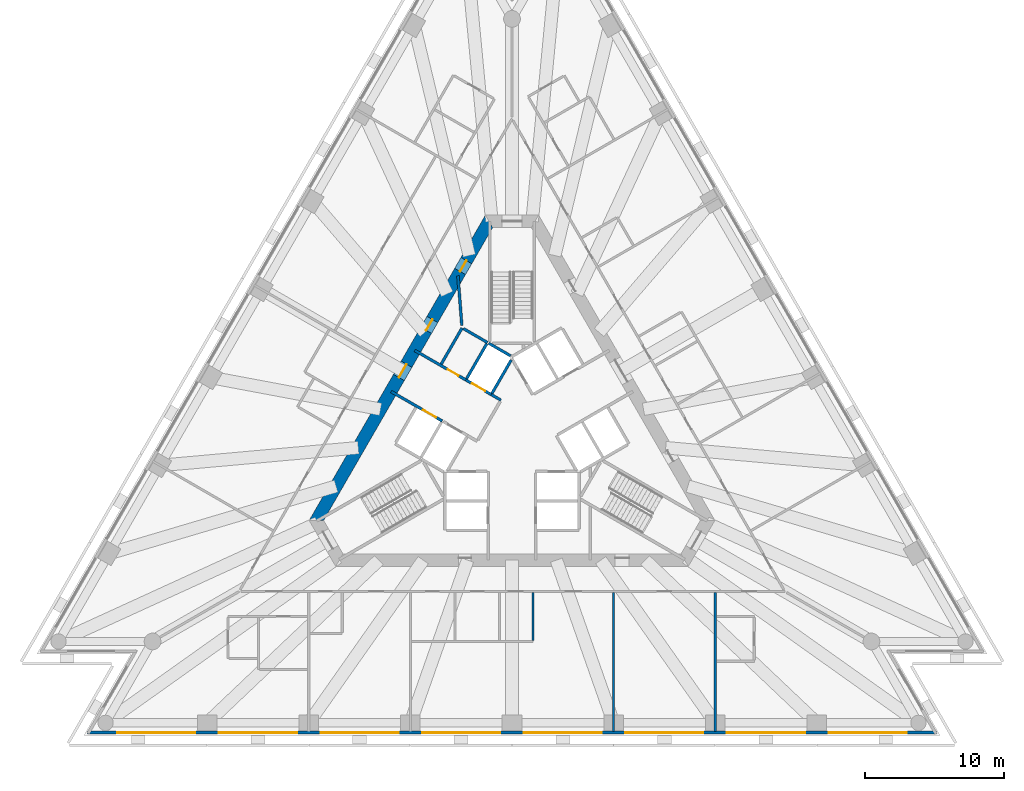
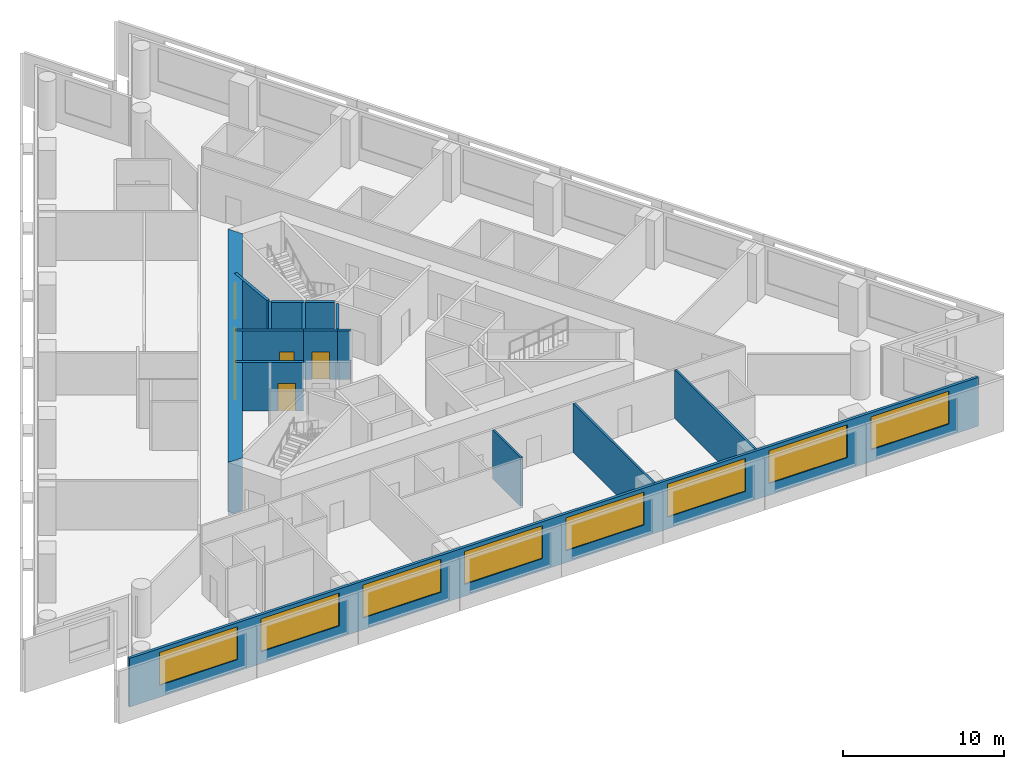
# One storey, part 4 of 11: 15 walls, 8 windows, 6 doors, 14 openings.
"""IFC4 building model written with IfcOpenShell, lengths in metres."""

import ifcopenshell
import ifcopenshell.guid

model = None  # the IFC model being written
_history = None  # IfcOwnerHistory: only IFC2X3 demands one
_inside = {}  # id of a spatial element -> (the spatial element, [elements in it])
_under = {}  # id of a project, library or spatial element -> (it, [spatial elements below it])
_declared = {}  # id of a project -> (the project, [libraries it declares])
_typed = {}  # id of a type object -> (the type object, [elements of that type])
_made_of = {}  # id of a material, layer set ... -> (it, [elements and type objects made of it])


def new_model(schema):
    """Start an empty IFC model of exactly this schema.

    Asked for "IFC4X3", IfcOpenShell would pick the latest addendum, in which some entities
    have other attributes; the version numbers below select the first issue.
    IFC2X3 requires an IfcOwnerHistory on every rooted entity: one is made here for all.
    """
    global model, _history
    if schema == "IFC4X3":
        model = ifcopenshell.file(schema_version=(4, 3, 0, 0))
    else:
        model = ifcopenshell.file(schema=schema)
    _inside.clear()
    _under.clear()
    _declared.clear()
    _typed.clear()
    _made_of.clear()
    _history = None
    if model.schema == "IFC2X3":
        org = make("IfcOrganization", Name="unknown")
        user = make(
            "IfcPersonAndOrganization",
            ThePerson=make("IfcPerson", FamilyName="unknown"),
            TheOrganization=org,
        )
        app = make(
            "IfcApplication",
            ApplicationDeveloper=org,
            Version="unknown",
            ApplicationFullName="unknown",
            ApplicationIdentifier="unknown",
        )
        _history = make(
            "IfcOwnerHistory",
            OwningUser=user,
            OwningApplication=app,
            ChangeAction="ADDED",
            CreationDate=0,
        )
    return model


def make(cls, **values):
    """One entity of the class cls with the attributes given. An attribute that is None is left unset."""
    return model.create_entity(
        cls, **{name: value for name, value in values.items() if value is not None}
    )


def rooted(cls, **values):
    """An entity with a GlobalId (a new one), such as an element, a storey or a relation."""
    return make(cls, GlobalId=ifcopenshell.guid.new(), OwnerHistory=_history, **values)


def si_unit(unit_type, name, prefix=None):
    """IfcSIUnit, for example si_unit("LENGTHUNIT", "METRE", prefix="MILLI")."""
    return make("IfcSIUnit", UnitType=unit_type, Prefix=prefix, Name=name)


def assignment(units):
    """IfcUnitAssignment: the units of a project."""
    return None if units is None else make("IfcUnitAssignment", Units=units)


def point(xyz):
    """IfcCartesianPoint."""
    return None if xyz is None else make("IfcCartesianPoint", Coordinates=xyz)


def direction(xyz):
    """IfcDirection."""
    return None if xyz is None else make("IfcDirection", DirectionRatios=xyz)


def frame(location, z_axis=None, x_axis=None):
    """IfcAxis2Placement3D, a coordinate frame: its origin and axes. An axis left out is left unset."""
    return make(
        "IfcAxis2Placement3D",
        Location=point(location),
        Axis=direction(z_axis),
        RefDirection=direction(x_axis),
    )


def frame_2d(location, x_axis=None):
    """IfcAxis2Placement2D, a coordinate frame in the plane: its origin and x axis."""
    return make(
        "IfcAxis2Placement2D", Location=point(location), RefDirection=direction(x_axis)
    )


def origin():
    """The frame at (0, 0, 0) with its axes left unset."""
    return frame((0.0, 0.0, 0.0))


def place(relative_to, where):
    """IfcLocalPlacement: puts the frame where relative to a parent placement (None: the world)."""
    return make(
        "IfcLocalPlacement", PlacementRelTo=relative_to, RelativePlacement=where
    )


def context(
    kind, dimensions, precision=None, world=None, true_north=None, identifier=None
):
    """IfcGeometricRepresentationContext, for example the 3D "Model" context."""
    return make(
        "IfcGeometricRepresentationContext",
        ContextIdentifier=identifier,
        ContextType=kind,
        CoordinateSpaceDimension=dimensions,
        Precision=precision,
        WorldCoordinateSystem=world,
        TrueNorth=true_north,
    )


def subcontext(parent, identifier, kind, view, scale=None):
    """IfcGeometricRepresentationSubContext, for example "Body" below "Model"."""
    return make(
        "IfcGeometricRepresentationSubContext",
        ContextIdentifier=identifier,
        ContextType=kind,
        ParentContext=parent,
        TargetScale=scale,
        TargetView=view,
    )


def project(units=None, contexts=None):
    """IfcProject with its units and contexts."""
    return rooted(
        "IfcProject",
        Name="project",
        RepresentationContexts=contexts,
        UnitsInContext=assignment(units),
    )


def spatial(cls, under=None, at=None, **own):
    """A site, building, storey or space (cls), placed at a placement, below another one or the project."""
    s = rooted(cls, ObjectPlacement=at, **own)
    if under is not None:
        _under.setdefault(under.id(), (under, []))[1].append(s)
    return s


def polyline(points):
    """IfcPolyline through the points."""
    return make("IfcPolyline", Points=[point(p) for p in points])


def profile(cls, at=None, kind="AREA", **sizes):
    """A parametric profile (cls). Its sizes go by their IFC names, for example OverallWidth=200.0."""
    return make(cls, ProfileType=kind, Position=at, **sizes)


def rectangle(**sizes):
    """IfcRectangleProfileDef."""
    return profile("IfcRectangleProfileDef", **sizes)


def outline(outer, holes=None, kind="AREA"):
    """IfcArbitraryClosedProfileDef: a profile drawn as a closed curve; with holes, ...WithVoids."""
    if holes is None:
        return make("IfcArbitraryClosedProfileDef", ProfileType=kind, OuterCurve=outer)
    return make(
        "IfcArbitraryProfileDefWithVoids",
        ProfileType=kind,
        OuterCurve=outer,
        InnerCurves=holes,
    )


def extrude(swept, where, along, depth):
    """IfcExtrudedAreaSolid: the profile swept, set in the frame where, extruded along a direction by depth."""
    return make(
        "IfcExtrudedAreaSolid",
        SweptArea=swept,
        Position=where,
        ExtrudedDirection=direction(along),
        Depth=depth,
    )


def shape(context_of_items, identifier, shape_type, items):
    """IfcShapeRepresentation: the items that make up one representation, for example the "Body"."""
    return make(
        "IfcShapeRepresentation",
        ContextOfItems=context_of_items,
        RepresentationIdentifier=identifier,
        RepresentationType=shape_type,
        Items=items,
    )


def material(Name=None, Category=None):
    """IfcMaterial."""
    return make("IfcMaterial", Name=Name, Category=Category)


def layer(
    of_material, thickness, ventilated=None, Name=None, Category=None, Priority=None
):
    """IfcMaterialLayer: one layer of a wall or slab, of a material (None: an air gap)."""
    return make(
        "IfcMaterialLayer",
        Material=of_material,
        LayerThickness=thickness,
        IsVentilated=ventilated,
        Name=Name,
        Category=Category,
        Priority=Priority,
    )


def layer_set(layers, Name=None):
    """IfcMaterialLayerSet."""
    return make("IfcMaterialLayerSet", MaterialLayers=layers, LayerSetName=Name)


def layer_usage(for_layer_set, set_direction, sense, offset, extent=None):
    """IfcMaterialLayerSetUsage: how a layer set lies in its element."""
    return make(
        "IfcMaterialLayerSetUsage",
        ForLayerSet=for_layer_set,
        LayerSetDirection=set_direction,
        DirectionSense=sense,
        OffsetFromReferenceLine=offset,
        ReferenceExtent=extent,
    )


def made_of(thing, what):
    """Note that an element or type object is made of a material, layer set ...; save() writes the relation."""
    if what is not None:
        _made_of.setdefault(what.id(), (what, []))[1].append(thing)
    return thing


def type_object(cls, material=None, **own):
    """A type object (cls), such as IfcWallType, which elements share."""
    return made_of(rooted(cls, **own), material)


def element(
    cls,
    number,
    at=None,
    inside=None,
    cuts=None,
    type_object=None,
    material=None,
    context=None,
    identifier="Body",
    shape_type=None,
    held_by="IfcProductDefinitionShape",
    body=None,
    shapes=None,
    **own,
):
    """One element of the class cls, such as IfcWall. Its Tag is "e" and its number.

    at: its placement. inside: the storey or other place that contains it. cuts: it is an
    opening in that element (IfcRelVoidsElement). A single representation is given by context,
    identifier, shape_type and body (its items); several are given by shapes. held_by: the class
    of the entity that holds the representations. save() writes the other relations.
    """
    e = rooted(cls, Tag="e%d" % number, ObjectPlacement=at, **own)
    if body is not None:
        shapes = [shape(context, identifier, shape_type, body)]
    if shapes is not None:
        e.Representation = make(held_by, Representations=shapes)
    if inside is not None:
        _inside.setdefault(inside.id(), (inside, []))[1].append(e)
    if cuts is not None:
        rooted(
            "IfcRelVoidsElement", RelatingBuildingElement=cuts, RelatedOpeningElement=e
        )
    if type_object is not None:
        _typed.setdefault(type_object.id(), (type_object, []))[1].append(e)
    return made_of(e, material)


def fill(opening, filler):
    """IfcRelFillsElement: the door or window that sits in an opening."""
    return rooted(
        "IfcRelFillsElement",
        RelatingOpeningElement=opening,
        RelatedBuildingElement=filler,
    )


def aggregate(whole, parts):
    """IfcRelAggregates: a whole, such as a stair, and the parts it consists of."""
    return rooted("IfcRelAggregates", RelatingObject=whole, RelatedObjects=parts)


def save(model, path):
    """Write the relations noted so far, then the file.

    IfcRelAggregates (storeys below a building ...), IfcRelContainedInSpatialStructure (elements
    in a storey), IfcRelDefinesByType, IfcRelAssociatesMaterial and IfcRelDeclares: one each for
    every whole, place, type object, material and project.
    """
    for whole, parts in _under.values():
        aggregate(whole, parts)
    for where, things in _inside.values():
        rooted(
            "IfcRelContainedInSpatialStructure",
            RelatedElements=things,
            RelatingStructure=where,
        )
    for kind, things in _typed.values():
        rooted("IfcRelDefinesByType", RelatedObjects=things, RelatingType=kind)
    for what, things in _made_of.values():
        rooted("IfcRelAssociatesMaterial", RelatedObjects=things, RelatingMaterial=what)
    for by, libraries in _declared.values():
        rooted("IfcRelDeclares", RelatingContext=by, RelatedDefinitions=libraries)
    model.write(path)


model = new_model("IFC4")

# Units and contexts
model_context = context("Model", 3, precision=1e-05, world=origin(), true_north=direction((0.0, 1.0)))
body_context = subcontext(model_context, "Body", "Model", "MODEL_VIEW")
ifc_project = project(units=[si_unit("LENGTHUNIT", "METRE"), si_unit("AREAUNIT", "SQUARE_METRE"), si_unit("VOLUMEUNIT", "CUBIC_METRE"), si_unit("PLANEANGLEUNIT", "RADIAN"), si_unit("MASSUNIT", "GRAM", prefix="KILO")], contexts=[model_context])

# Site, building, storey
site_placement = place(None, origin())
site = spatial("IfcSite", under=ifc_project, at=site_placement, CompositionType="ELEMENT")
building_placement = place(site_placement, origin())
building = spatial("IfcBuilding", under=site, at=building_placement, Name="Triada Interchange Tower", CompositionType="ELEMENT")
storey_placement = place(building_placement, frame((0.0, 0.0, 75.300048828125)))
storey = spatial("IfcBuildingStorey", under=building, at=storey_placement, Name="L16", CompositionType="ELEMENT", Elevation=75.300048828125)

# Wall, opening, door
ifc_material_1 = material(Name="Concrete C30/37", Category="concrete")
ifc_layer_1 = layer(ifc_material_1, 0.199951171875)
ifc_layer_set_1 = layer_set([ifc_layer_1], Name="CORE WALL 200 EI 180")
wall_type_1 = type_object("IfcWallType", Name="CORE WALL 200 EI 180", PredefinedType="SOLIDWALL", material=ifc_layer_set_1)
wall_1_placement = place(storey_placement, frame((-8.669921875, 3.04296875, 0.0), z_axis=(0.0, 0.0, 1.0), x_axis=(0.866029956157, -0.499992114976, 0.0)))
wall_1 = element("IfcWall", 1, at=wall_1_placement, inside=storey, type_object=wall_type_1, Name="Wall L15 74", PredefinedType="SOLIDWALL", context=body_context, shape_type="SweptSolid", body=[
    extrude(rectangle(XDim=4.23193359375, YDim=0.199951171875, at=frame_2d((2.115966796875, 0.0))), origin(), (0.0, 0.0, 1.0), 3.699951171875),
])
opening_1_placement = place(wall_1_placement, frame((2.6298828125, 0.0, 0.0)))
opening_1 = element("IfcOpeningElement", 2, at=opening_1_placement, cuts=wall_1, Name="Opening LD-SV1", PredefinedType="OPENING", context=body_context, shape_type="SweptSolid", body=[
    extrude(rectangle(XDim=1.10009765625, YDim=2.10009765625, at=frame_2d((0.550048828125, 1.050048828125))), frame((0.0, 0.10986328125, 0.0), z_axis=(0.0, -1.0, 0.0), x_axis=(1.0, 0.0, 0.0)), (0.0, 0.0, 1.0), 0.219970703125),
])
ifc_material_2 = material(Name="Steel S235 door leaf", Category="steel")
door_type_1 = type_object("IfcDoorType", Name="LIFT LANDING DOOR 1100 EI 120", OperationType="SLIDING_TO_LEFT", PredefinedType="DOOR", material=ifc_material_2)
door_1_placement = place(opening_1_placement, origin())
door_1 = element("IfcDoor", 3, at=door_1_placement, inside=storey, type_object=door_type_1, Name="SV1 landing door L16", OperationType="SLIDING_TO_LEFT", OverallHeight=2.10009765625, OverallWidth=1.10009765625, PredefinedType="DOOR", context=body_context, shape_type="SweptSolid", body=[
    extrude(rectangle(XDim=1.10009765625, YDim=2.10009765625, at=frame_2d((0.550048828125, 1.050048828125))), frame((0.0, 0.02490234375, 0.0), z_axis=(0.0, -1.0, 0.0), x_axis=(1.0, 0.0, 0.0)), (0.0, 0.0, 1.0), 0.050048828125),
])
fill(opening_1, door_1)

wall_2_placement = place(storey_placement, frame((-6.969970703125, 5.987060546875, 0.0), z_axis=(0.0, 0.0, 1.0), x_axis=(0.866029956157, -0.499992114976, 0.0)))
wall_2 = element("IfcWall", 4, at=wall_2_placement, inside=storey, type_object=wall_type_1, Name="Wall L15 76", PredefinedType="SOLIDWALL", context=body_context, shape_type="SweptSolid", body=[
    extrude(rectangle(XDim=4.23193359375, YDim=0.199951171875, at=frame_2d((2.115966796875, 0.0))), origin(), (0.0, 0.0, 1.0), 3.699951171875),
])
opening_2_placement = place(wall_2_placement, frame((2.72998046875, 0.0, 0.0)))
opening_2 = element("IfcOpeningElement", 5, at=opening_2_placement, cuts=wall_2, Name="Opening D15-10", PredefinedType="OPENING", context=body_context, shape_type="SweptSolid", body=[
    extrude(rectangle(XDim=0.89990234375, YDim=2.10009765625, at=frame_2d((0.449951171875, 1.050048828125))), frame((0.0, 0.10986328125, 0.0), z_axis=(0.0, -1.0, 0.0), x_axis=(1.0, 0.0, 0.0)), (0.0, 0.0, 1.0), 0.219970703125),
])
door_type_2 = type_object("IfcDoorType", Name="SERVICE DOOR 900 EI2 90-C5S200", OperationType="NOTDEFINED", PredefinedType="DOOR", material=ifc_material_2)
door_2_placement = place(opening_2_placement, origin())
door_2 = element("IfcDoor", 6, at=door_2_placement, inside=storey, type_object=door_type_2, Name="Door D15-10 L16", OperationType="SINGLE_SWING_LEFT", OverallHeight=2.10009765625, OverallWidth=0.89990234375, PredefinedType="DOOR", context=body_context, shape_type="SweptSolid", body=[
    extrude(rectangle(XDim=0.89990234375, YDim=2.10009765625, at=frame_2d((0.449951171875, 1.050048828125))), frame((0.0, 0.02490234375, 0.0), z_axis=(0.0, -1.0, 0.0), x_axis=(1.0, 0.0, 0.0)), (0.0, 0.0, 1.0), 0.050048828125),
])
fill(opening_2, door_2)

# Walls
wall_3_placement = place(storey_placement, frame((-1.488037109375, 2.822021484375, 0.0), z_axis=(0.0, 0.0, 1.0), x_axis=(0.866236612152, -0.499633997809, 0.0)))
element("IfcWall", 7, at=wall_3_placement, inside=storey, type_object=wall_type_1, Name="Wall L15 77", PredefinedType="SOLIDWALL", context=body_context, shape_type="SweptSolid", body=[
    extrude(rectangle(XDim=0.79638671875, YDim=0.199951171875, at=frame_2d((0.398193359375, 0.0))), origin(), (0.0, 0.0, 1.0), 3.699951171875),
])
wall_4_placement = place(storey_placement, frame((-5.075927734375, 5.009033203125, 0.0), z_axis=(0.0, 0.0, 1.0), x_axis=(0.500085598968, 0.865975977556, 0.0)))
element("IfcWall", 8, at=wall_4_placement, inside=storey, type_object=wall_type_1, Name="Wall L15 78", PredefinedType="SOLIDWALL", context=body_context, shape_type="SweptSolid", body=[
    extrude(rectangle(XDim=2.9873046875, YDim=0.199951171875, at=frame_2d((1.49365234375, 0.0))), origin(), (0.0, 0.0, 1.0), 3.699951171875),
])
wall_5_placement = place(storey_placement, frame((-3.489013671875, 7.556884765625, 0.0), z_axis=(0.0, 0.0, 1.0), x_axis=(0.866010750942, -0.50002537861, 0.0)))
element("IfcWall", 9, at=wall_5_placement, inside=storey, type_object=wall_type_1, Name="Wall L15 79", PredefinedType="SOLIDWALL", context=body_context, shape_type="SweptSolid", body=[
    extrude(rectangle(XDim=2.0, YDim=0.199951171875, at=frame_2d((1.0, 0.0))), origin(), (0.0, 0.0, 1.0), 3.699951171875),
])

# Wall, opening, door
wall_6_placement = place(storey_placement, frame((-3.30908203125, 3.873046875, 0.0), z_axis=(0.0, 0.0, 1.0), x_axis=(0.866098583652, -0.499873227325, 0.0)))
wall_6 = element("IfcWall", 10, at=wall_6_placement, inside=storey, type_object=wall_type_1, Name="Shaft wall FF2 L15 85", PredefinedType="SOLIDWALL", context=body_context, shape_type="SweptSolid", body=[
    extrude(rectangle(XDim=2.1025390625, YDim=0.199951171875, at=frame_2d((1.05126953125, 0.0))), origin(), (0.0, 0.0, 1.0), 3.699951171875),
])
opening_3_placement = place(wall_6_placement, frame((0.501953125, 0.0, 0.0)))
opening_3 = element("IfcOpeningElement", 11, at=opening_3_placement, cuts=wall_6, Name="Opening LD-FF2", PredefinedType="OPENING", context=body_context, shape_type="SweptSolid", body=[
    extrude(rectangle(XDim=1.10009765625, YDim=2.10009765625, at=frame_2d((0.550048828125, 1.050048828125))), frame((0.0, 0.10986328125, 0.0), z_axis=(0.0, -1.0, 0.0), x_axis=(1.0, 0.0, 0.0)), (0.0, 0.0, 1.0), 0.219970703125),
])
door_3_placement = place(opening_3_placement, origin())
door_3 = element("IfcDoor", 12, at=door_3_placement, inside=storey, type_object=door_type_1, Name="FF2 landing door L16", OperationType="SLIDING_TO_LEFT", OverallHeight=2.10009765625, OverallWidth=1.10009765625, PredefinedType="DOOR", context=body_context, shape_type="SweptSolid", body=[
    extrude(rectangle(XDim=1.10009765625, YDim=2.10009765625, at=frame_2d((0.550048828125, 1.050048828125))), frame((0.0, 0.02490234375, 0.0), z_axis=(0.0, -1.0, 0.0), x_axis=(1.0, 0.0, 0.0)), (0.0, 0.0, 1.0), 0.050048828125),
])
fill(opening_3, door_3)

# Walls
wall_7_placement = place(storey_placement, frame((-3.257080078125, 3.958984375, 0.0), z_axis=(0.0, 0.0, 1.0), x_axis=(0.50012328804, 0.865954211699, 0.0)))
element("IfcWall", 13, at=wall_7_placement, inside=storey, type_object=wall_type_1, Name="Shaft wall FF2 L15 86", PredefinedType="SOLIDWALL", context=body_context, shape_type="SweptSolid", body=[
    extrude(rectangle(XDim=2.899658203125, YDim=0.199951171875, at=frame_2d((1.44970703125, 0.0))), origin(), (0.0, 0.0, 1.0), 3.699951171875),
])
wall_8_placement = place(storey_placement, frame((-1.669921875, 6.507080078125, 0.0), z_axis=(0.0, 0.0, 1.0), x_axis=(0.865941441609, -0.500145398563, 0.0)))
element("IfcWall", 14, at=wall_8_placement, inside=storey, type_object=wall_type_1, Name="Shaft wall FF2 L15 87", PredefinedType="SOLIDWALL", context=body_context, shape_type="SweptSolid", body=[
    extrude(rectangle(XDim=1.8154296875, YDim=0.199951171875, at=frame_2d((0.90771484375, 0.0))), origin(), (0.0, 0.0, 1.0), 3.699951171875),
])
wall_9_placement = place(storey_placement, frame((-1.43798828125, 2.908935546875, 0.0), z_axis=(0.0, 0.0, 1.0), x_axis=(0.499829630636, 0.866123744241, 0.0)))
element("IfcWall", 15, at=wall_9_placement, inside=storey, type_object=wall_type_1, Name="Shaft wall FF2 L15 88", PredefinedType="SOLIDWALL", context=body_context, shape_type="SweptSolid", body=[
    extrude(rectangle(XDim=2.7607421875, YDim=0.199951171875, at=frame_2d((1.38037109375, 0.0))), origin(), (0.0, 0.0, 1.0), 3.699951171875),
])
ifc_layer_2 = layer(ifc_material_1, 0.199951171875)
ifc_layer_set_2 = layer_set([ifc_layer_2], Name="CORE WALL 200 EI 90")
wall_type_2 = type_object("IfcWallType", Name="CORE WALL 200 EI 90", PredefinedType="SOLIDWALL", material=ifc_layer_set_2)
wall_10_placement = place(storey_placement, frame((-3.876953125, 11.344970703125, 0.0), z_axis=(0.0, 0.0, 1.0), x_axis=(0.078070537984, -0.996947837702, 0.0)))
element("IfcWall", 16, at=wall_10_placement, inside=storey, type_object=wall_type_2, Name="Wall L15 89", PredefinedType="SOLIDWALL", context=body_context, shape_type="SweptSolid", body=[
    extrude(rectangle(XDim=3.5869140625, YDim=0.199951171875, at=frame_2d((1.79345703125, 0.0))), origin(), (0.0, 0.0, 1.0), 3.699951171875),
])

# Wall, openings, doors
ifc_material_3 = material(Name="Concrete C70/85", Category="concrete")
ifc_layer_3 = layer(ifc_material_3, 0.89990234375)
ifc_layer_set_3 = layer_set([ifc_layer_3], Name="Core wall A 900")
wall_type_3 = type_object("IfcWallType", Name="Core wall A 900", PredefinedType="SHEAR", material=ifc_layer_set_3)
wall_11_placement = place(storey_placement, frame((-1.64501953125, 15.25, -0.300048828125), z_axis=(0.0, 0.0, 1.0), x_axis=(-0.500026485275, -0.866010111964, 0.0)))
wall_11 = element("IfcWall", 17, at=wall_11_placement, inside=storey, type_object=wall_type_3, Name="Core wall WA02 L16", PredefinedType="SHEAR", context=body_context, shape_type="SweptSolid", body=[
    extrude(outline(polyline([(-0.260009765625, -0.449951171875), (1.685302734375, -0.449951171875), (3.63037109375, -0.44970703125), (5.57568359375, -0.44970703125), (7.52099609375, -0.44970703125), (9.466064453125, -0.449462890625), (11.411376953125, -0.449462890625), (13.356689453125, -0.449462890625), (15.302001953125, -0.449462890625), (17.2470703125, -0.44921875), (19.1923828125, -0.44921875), (21.1376953125, -0.44921875), (23.082763671875, -0.448974609375), (25.028076171875, -0.448974609375), (24.509033203125, 0.449951171875), (22.643798828125, 0.449951171875), (20.7783203125, 0.44970703125), (18.9130859375, 0.44970703125), (17.0478515625, 0.44970703125), (15.182373046875, 0.449462890625), (13.317138671875, 0.449462890625), (11.451904296875, 0.449462890625), (9.586669921875, 0.449462890625), (7.72119140625, 0.44921875), (5.85595703125, 0.44921875), (3.99072265625, 0.44921875), (2.125244140625, 0.448974609375), (0.260009765625, 0.448974609375), (-0.260009765625, -0.449951171875)])), origin(), (0.0, 0.0, 1.0), 4.0),
])
opening_4_placement = place(wall_11_placement, frame((11.833984375, 0.0, 0.300048828125)))
opening_4 = element("IfcOpeningElement", 18, at=opening_4_placement, cuts=wall_11, Name="Opening D15-47", PredefinedType="OPENING", context=body_context, shape_type="SweptSolid", body=[
    extrude(rectangle(XDim=1.10009765625, YDim=2.10009765625, at=frame_2d((0.550048828125, 1.050048828125))), frame((0.0, 0.4599609375, 0.0), z_axis=(0.0, -1.0, 0.0), x_axis=(1.0, 0.0, 0.0)), (0.0, 0.0, 1.0), 0.919921875),
])
opening_5_placement = place(wall_11_placement, frame((8.1298828125, 0.0, 0.300048828125)))
opening_5 = element("IfcOpeningElement", 19, at=opening_5_placement, cuts=wall_11, Name="Opening D15-51", PredefinedType="OPENING", context=body_context, shape_type="SweptSolid", body=[
    extrude(rectangle(XDim=0.89990234375, YDim=2.10009765625, at=frame_2d((0.449951171875, 1.050048828125))), frame((0.0, 0.4599609375, 0.0), z_axis=(0.0, -1.0, 0.0), x_axis=(1.0, 0.0, 0.0)), (0.0, 0.0, 1.0), 0.919921875),
])
opening_6_placement = place(wall_11_placement, frame((3.2548828125, 0.0, 0.300048828125)))
opening_6 = element("IfcOpeningElement", 20, at=opening_6_placement, cuts=wall_11, Name="Opening D15-52", PredefinedType="OPENING", context=body_context, shape_type="SweptSolid", body=[
    extrude(rectangle(XDim=0.89990234375, YDim=2.10009765625, at=frame_2d((0.449951171875, 1.050048828125))), frame((0.0, 0.4599609375, 0.0), z_axis=(0.0, -1.0, 0.0), x_axis=(1.0, 0.0, 0.0)), (0.0, 0.0, 1.0), 0.919921875),
])
door_type_3 = type_object("IfcDoorType", Name="FIRE LOBBY DOOR 1100 EI2 90-C5S200", OperationType="NOTDEFINED", PredefinedType="DOOR", material=ifc_material_2)
door_4_placement = place(opening_4_placement, origin())
door_4 = element("IfcDoor", 21, at=door_4_placement, inside=storey, type_object=door_type_3, Name="Door D15-47 L16", OperationType="SINGLE_SWING_LEFT", OverallHeight=2.10009765625, OverallWidth=1.10009765625, PredefinedType="DOOR", context=body_context, shape_type="SweptSolid", body=[
    extrude(rectangle(XDim=1.10009765625, YDim=2.10009765625, at=frame_2d((0.550048828125, 1.050048828125))), frame((0.0, 0.02490234375, 0.0), z_axis=(0.0, -1.0, 0.0), x_axis=(1.0, 0.0, 0.0)), (0.0, 0.0, 1.0), 0.050048828125),
])
fill(opening_4, door_4)
door_type_4 = type_object("IfcDoorType", Name="RISER ACCESS DOOR 900 EI2 45-C5S200", OperationType="NOTDEFINED", PredefinedType="DOOR", material=ifc_material_2)
door_5_placement = place(opening_6_placement, origin())
door_5 = element("IfcDoor", 22, at=door_5_placement, inside=storey, type_object=door_type_4, Name="Door D15-52 L16", OperationType="SINGLE_SWING_LEFT", OverallHeight=2.10009765625, OverallWidth=0.89990234375, PredefinedType="DOOR", context=body_context, shape_type="SweptSolid", body=[
    extrude(rectangle(XDim=0.89990234375, YDim=2.10009765625, at=frame_2d((0.449951171875, 1.050048828125))), frame((0.0, 0.02490234375, 0.0), z_axis=(0.0, -1.0, 0.0), x_axis=(1.0, 0.0, 0.0)), (0.0, 0.0, 1.0), 0.050048828125),
])
fill(opening_6, door_5)
door_type_5 = type_object("IfcDoorType", Name="SERVICE DOOR 900 EI2 45-C5S200", OperationType="NOTDEFINED", PredefinedType="DOOR", material=ifc_material_2)
door_6_placement = place(opening_5_placement, origin())
door_6 = element("IfcDoor", 23, at=door_6_placement, inside=storey, type_object=door_type_5, Name="Door D15-51 L16", OperationType="SINGLE_SWING_LEFT", OverallHeight=2.10009765625, OverallWidth=0.89990234375, PredefinedType="DOOR", context=body_context, shape_type="SweptSolid", body=[
    extrude(rectangle(XDim=0.89990234375, YDim=2.10009765625, at=frame_2d((0.449951171875, 1.050048828125))), frame((0.0, 0.02490234375, 0.0), z_axis=(0.0, -1.0, 0.0), x_axis=(1.0, 0.0, 0.0)), (0.0, 0.0, 1.0), 0.050048828125),
])
fill(opening_5, door_6)

# Wall, openings, windows
ifc_material_4 = material(Name="Cement board")
ifc_layer_4 = layer(ifc_material_4, 0.02001953125, Name="Cement board cladding")
ifc_material_5 = material(Name="Sheathing board")
ifc_layer_5 = layer(ifc_material_5, 0.014892578125, Name="Sheathing board")
ifc_material_6 = material(Name="Mineral wool")
ifc_layer_6 = layer(ifc_material_6, 0.14990234375, Name="Mineral wool between steel studs")
ifc_material_7 = material(Name="Gypsum board")
ifc_layer_7 = layer(ifc_material_7, 0.014892578125, Name="Plasterboard lining")
ifc_layer_set_4 = layer_set([ifc_layer_4, ifc_layer_5, ifc_layer_6, ifc_layer_7], Name="External wall 200")
ifc_layer_usage = layer_usage(ifc_layer_set_4, "AXIS2", "POSITIVE", -0.10009765625)
wall_type_4 = type_object("IfcWallType", Name="External wall 200", PredefinedType="ELEMENTEDWALL", material=ifc_layer_set_4)
wall_12_placement = place(storey_placement, frame((-30.452880859375, -21.422119140625, 0.0), z_axis=(0.0, 0.0, 1.0), x_axis=(1.0, 0.0, 0.0)))
wall_12 = element("IfcWall", 24, at=wall_12_placement, inside=storey, type_object=wall_type_4, material=ifc_layer_usage, Name="External wall L16 S", PredefinedType="ELEMENTEDWALL", context=body_context, shape_type="SweptSolid", body=[
    extrude(rectangle(XDim=60.885986328125, YDim=0.199951171875, at=frame_2d((30.44287109375, 0.0))), origin(), (0.0, 0.0, 1.0), 3.699951171875),
])
opening_7_placement = place(wall_12_placement, frame((2.14697265625, 0.0, 0.89990234375)))
opening_7 = element("IfcOpeningElement", 25, at=opening_7_placement, cuts=wall_12, Name="Opening WA11", PredefinedType="OPENING", context=body_context, shape_type="SweptSolid", body=[
    extrude(rectangle(XDim=5.60009765625, YDim=2.5, at=frame_2d((2.800048828125, 1.25))), frame((0.0, 0.10986328125, 0.0), z_axis=(0.0, -1.0, 0.0), x_axis=(1.0, 0.0, 0.0)), (0.0, 0.0, 1.0), 0.219970703125),
])
opening_8_placement = place(wall_12_placement, frame((9.43408203125, 0.0, 0.89990234375)))
opening_8 = element("IfcOpeningElement", 26, at=opening_8_placement, cuts=wall_12, Name="Opening WA12", PredefinedType="OPENING", context=body_context, shape_type="SweptSolid", body=[
    extrude(rectangle(XDim=5.60009765625, YDim=2.5, at=frame_2d((2.800048828125, 1.25))), frame((0.0, 0.10986328125, 0.0), z_axis=(0.0, -1.0, 0.0), x_axis=(1.0, 0.0, 0.0)), (0.0, 0.0, 1.0), 0.219970703125),
])
opening_9_placement = place(wall_12_placement, frame((16.721923828125, 0.0, 0.89990234375)))
opening_9 = element("IfcOpeningElement", 27, at=opening_9_placement, cuts=wall_12, Name="Opening WA13", PredefinedType="OPENING", context=body_context, shape_type="SweptSolid", body=[
    extrude(rectangle(XDim=5.60009765625, YDim=2.5, at=frame_2d((2.800048828125, 1.25))), frame((0.0, 0.10986328125, 0.0), z_axis=(0.0, -1.0, 0.0), x_axis=(1.0, 0.0, 0.0)), (0.0, 0.0, 1.0), 0.219970703125),
])
opening_10_placement = place(wall_12_placement, frame((24.009033203125, 0.0, 0.89990234375)))
opening_10 = element("IfcOpeningElement", 28, at=opening_10_placement, cuts=wall_12, Name="Opening WA14", PredefinedType="OPENING", context=body_context, shape_type="SweptSolid", body=[
    extrude(rectangle(XDim=5.60009765625, YDim=2.5, at=frame_2d((2.800048828125, 1.25))), frame((0.0, 0.10986328125, 0.0), z_axis=(0.0, -1.0, 0.0), x_axis=(1.0, 0.0, 0.0)), (0.0, 0.0, 1.0), 0.219970703125),
])
opening_11_placement = place(wall_12_placement, frame((31.297119140625, 0.0, 0.89990234375)))
opening_11 = element("IfcOpeningElement", 29, at=opening_11_placement, cuts=wall_12, Name="Opening WA15", PredefinedType="OPENING", context=body_context, shape_type="SweptSolid", body=[
    extrude(rectangle(XDim=5.60009765625, YDim=2.5, at=frame_2d((2.800048828125, 1.25))), frame((0.0, 0.10986328125, 0.0), z_axis=(0.0, -1.0, 0.0), x_axis=(1.0, 0.0, 0.0)), (0.0, 0.0, 1.0), 0.219970703125),
])
opening_12_placement = place(wall_12_placement, frame((38.583984375, 0.0, 0.89990234375)))
opening_12 = element("IfcOpeningElement", 30, at=opening_12_placement, cuts=wall_12, Name="Opening WA16", PredefinedType="OPENING", context=body_context, shape_type="SweptSolid", body=[
    extrude(rectangle(XDim=5.60009765625, YDim=2.5, at=frame_2d((2.800048828125, 1.25))), frame((0.0, 0.10986328125, 0.0), z_axis=(0.0, -1.0, 0.0), x_axis=(1.0, 0.0, 0.0)), (0.0, 0.0, 1.0), 0.219970703125),
])
opening_13_placement = place(wall_12_placement, frame((45.8720703125, 0.0, 0.89990234375)))
opening_13 = element("IfcOpeningElement", 31, at=opening_13_placement, cuts=wall_12, Name="Opening WA17", PredefinedType="OPENING", context=body_context, shape_type="SweptSolid", body=[
    extrude(rectangle(XDim=5.60009765625, YDim=2.5, at=frame_2d((2.800048828125, 1.25))), frame((0.0, 0.10986328125, 0.0), z_axis=(0.0, -1.0, 0.0), x_axis=(1.0, 0.0, 0.0)), (0.0, 0.0, 1.0), 0.219970703125),
])
opening_14_placement = place(wall_12_placement, frame((53.158935546875, 0.0, 0.89990234375)))
opening_14 = element("IfcOpeningElement", 32, at=opening_14_placement, cuts=wall_12, Name="Opening WA18", PredefinedType="OPENING", context=body_context, shape_type="SweptSolid", body=[
    extrude(rectangle(XDim=5.60009765625, YDim=2.5, at=frame_2d((2.800048828125, 1.25))), frame((0.0, 0.10986328125, 0.0), z_axis=(0.0, -1.0, 0.0), x_axis=(1.0, 0.0, 0.0)), (0.0, 0.0, 1.0), 0.219970703125),
])
ifc_material_8 = material(Name="Double glazed aluminium window", Category="aluminium")
window_type = type_object("IfcWindowType", Name="Ribbon window A face", PartitioningType="SINGLE_PANEL", PredefinedType="WINDOW", material=ifc_material_8)
window_1_placement = place(opening_7_placement, origin())
window_1 = element("IfcWindow", 33, at=window_1_placement, inside=storey, type_object=window_type, Name="Window L16 S 1", OverallHeight=2.5, OverallWidth=5.60009765625, PartitioningType="SINGLE_PANEL", PredefinedType="WINDOW", context=body_context, shape_type="SweptSolid", body=[
    extrude(rectangle(XDim=5.60009765625, YDim=2.5, at=frame_2d((2.800048828125, 1.25))), frame((0.0, 0.030029296875, 0.0), z_axis=(0.0, -1.0, 0.0), x_axis=(1.0, 0.0, 0.0)), (0.0, 0.0, 1.0), 0.06005859375),
])
fill(opening_7, window_1)
window_2_placement = place(opening_8_placement, origin())
window_2 = element("IfcWindow", 34, at=window_2_placement, inside=storey, type_object=window_type, Name="Window L16 S 2", OverallHeight=2.5, OverallWidth=5.60009765625, PartitioningType="SINGLE_PANEL", PredefinedType="WINDOW", context=body_context, shape_type="SweptSolid", body=[
    extrude(rectangle(XDim=5.60009765625, YDim=2.5, at=frame_2d((2.800048828125, 1.25))), frame((0.0, 0.030029296875, 0.0), z_axis=(0.0, -1.0, 0.0), x_axis=(1.0, 0.0, 0.0)), (0.0, 0.0, 1.0), 0.06005859375),
])
fill(opening_8, window_2)
window_3_placement = place(opening_9_placement, origin())
window_3 = element("IfcWindow", 35, at=window_3_placement, inside=storey, type_object=window_type, Name="Window L16 S 3", OverallHeight=2.5, OverallWidth=5.60009765625, PartitioningType="SINGLE_PANEL", PredefinedType="WINDOW", context=body_context, shape_type="SweptSolid", body=[
    extrude(rectangle(XDim=5.60009765625, YDim=2.5, at=frame_2d((2.800048828125, 1.25))), frame((0.0, 0.030029296875, 0.0), z_axis=(0.0, -1.0, 0.0), x_axis=(1.0, 0.0, 0.0)), (0.0, 0.0, 1.0), 0.06005859375),
])
fill(opening_9, window_3)
window_4_placement = place(opening_10_placement, origin())
window_4 = element("IfcWindow", 36, at=window_4_placement, inside=storey, type_object=window_type, Name="Window L16 S 4", OverallHeight=2.5, OverallWidth=5.60009765625, PartitioningType="SINGLE_PANEL", PredefinedType="WINDOW", context=body_context, shape_type="SweptSolid", body=[
    extrude(rectangle(XDim=5.60009765625, YDim=2.5, at=frame_2d((2.800048828125, 1.25))), frame((0.0, 0.030029296875, 0.0), z_axis=(0.0, -1.0, 0.0), x_axis=(1.0, 0.0, 0.0)), (0.0, 0.0, 1.0), 0.06005859375),
])
fill(opening_10, window_4)
window_5_placement = place(opening_11_placement, origin())
window_5 = element("IfcWindow", 37, at=window_5_placement, inside=storey, type_object=window_type, Name="Window L16 S 5", OverallHeight=2.5, OverallWidth=5.60009765625, PartitioningType="SINGLE_PANEL", PredefinedType="WINDOW", context=body_context, shape_type="SweptSolid", body=[
    extrude(rectangle(XDim=5.60009765625, YDim=2.5, at=frame_2d((2.800048828125, 1.25))), frame((0.0, 0.030029296875, 0.0), z_axis=(0.0, -1.0, 0.0), x_axis=(1.0, 0.0, 0.0)), (0.0, 0.0, 1.0), 0.06005859375),
])
fill(opening_11, window_5)
window_6_placement = place(opening_12_placement, origin())
window_6 = element("IfcWindow", 38, at=window_6_placement, inside=storey, type_object=window_type, Name="Window L16 S 6", OverallHeight=2.5, OverallWidth=5.60009765625, PartitioningType="SINGLE_PANEL", PredefinedType="WINDOW", context=body_context, shape_type="SweptSolid", body=[
    extrude(rectangle(XDim=5.60009765625, YDim=2.5, at=frame_2d((2.800048828125, 1.25))), frame((0.0, 0.030029296875, 0.0), z_axis=(0.0, -1.0, 0.0), x_axis=(1.0, 0.0, 0.0)), (0.0, 0.0, 1.0), 0.06005859375),
])
fill(opening_12, window_6)
window_7_placement = place(opening_13_placement, origin())
window_7 = element("IfcWindow", 39, at=window_7_placement, inside=storey, type_object=window_type, Name="Window L16 S 7", OverallHeight=2.5, OverallWidth=5.60009765625, PartitioningType="SINGLE_PANEL", PredefinedType="WINDOW", context=body_context, shape_type="SweptSolid", body=[
    extrude(rectangle(XDim=5.60009765625, YDim=2.5, at=frame_2d((2.800048828125, 1.25))), frame((0.0, 0.030029296875, 0.0), z_axis=(0.0, -1.0, 0.0), x_axis=(1.0, 0.0, 0.0)), (0.0, 0.0, 1.0), 0.06005859375),
])
fill(opening_13, window_7)
window_8_placement = place(opening_14_placement, origin())
window_8 = element("IfcWindow", 40, at=window_8_placement, inside=storey, type_object=window_type, Name="Window L16 S 8", OverallHeight=2.5, OverallWidth=5.60009765625, PartitioningType="SINGLE_PANEL", PredefinedType="WINDOW", context=body_context, shape_type="SweptSolid", body=[
    extrude(rectangle(XDim=5.60009765625, YDim=2.5, at=frame_2d((2.800048828125, 1.25))), frame((0.0, 0.030029296875, 0.0), z_axis=(0.0, -1.0, 0.0), x_axis=(1.0, 0.0, 0.0)), (0.0, 0.0, 1.0), 0.06005859375),
])
fill(opening_14, window_8)

# Walls
ifc_material_9 = material(Name="Gypsum board partition")
ifc_layer_8 = layer(ifc_material_9, 0.14990234375)
ifc_layer_set_5 = layer_set([ifc_layer_8], Name="PARTITION 150 EI 180")
wall_type_5 = type_object("IfcWallType", Name="PARTITION 150 EI 180", PredefinedType="PARTITIONING", material=ifc_layer_set_5)
wall_13_placement = place(storey_placement, frame((1.511962890625, -14.824951171875, 0.0), z_axis=(0.0, 0.0, 1.0), x_axis=(0.0, 1.0, 0.0)))
element("IfcWall", 41, at=wall_13_placement, inside=storey, type_object=wall_type_5, Name="Wall L15 18", PredefinedType="PARTITIONING", context=body_context, shape_type="SweptSolid", body=[
    extrude(rectangle(XDim=3.449951171875, YDim=0.14990234375, at=frame_2d((1.72509765625, 0.0))), origin(), (0.0, 0.0, 1.0), 3.699951171875),
])
for number, where, z_axis, x_axis, name in (
    (42, (7.2880859375, -21.342041015625, 0.0), (0.0, 0.0, 1.0), (0.0, 1.0, 0.0), "Wall L15 26"),
    (43, (14.574951171875, -21.342041015625, 0.0), (0.0, 0.0, 1.0), (0.0, 1.0, 0.0), "Wall L15 32"),
):
    element("IfcWall", number, at=place(storey_placement, frame(where, z_axis=z_axis, x_axis=x_axis)), inside=storey, type_object=wall_type_5, Name=name, PredefinedType="PARTITIONING", context=body_context, shape_type="SweptSolid", body=[
        extrude(rectangle(XDim=9.967041015625, YDim=0.14990234375, at=frame_2d((4.9833984375, 0.0))), origin(), (0.0, 0.0, 1.0), 3.699951171875),
    ])

save(model, "model.ifc")
